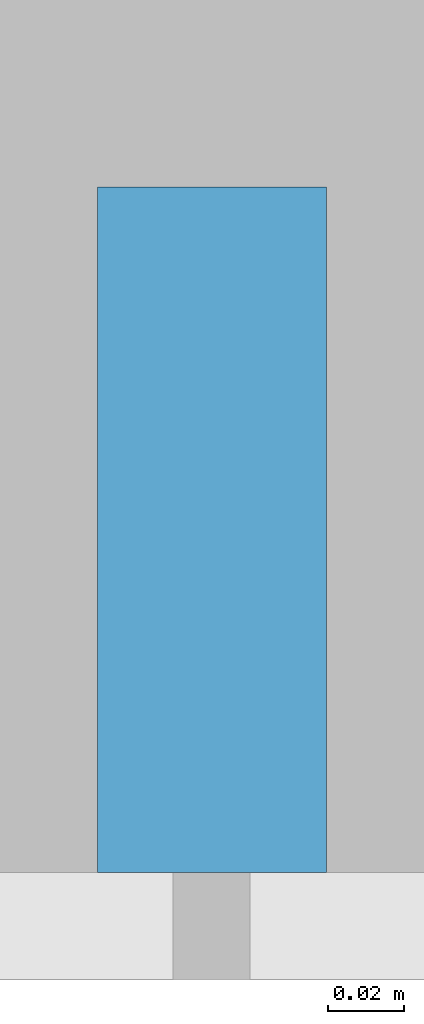
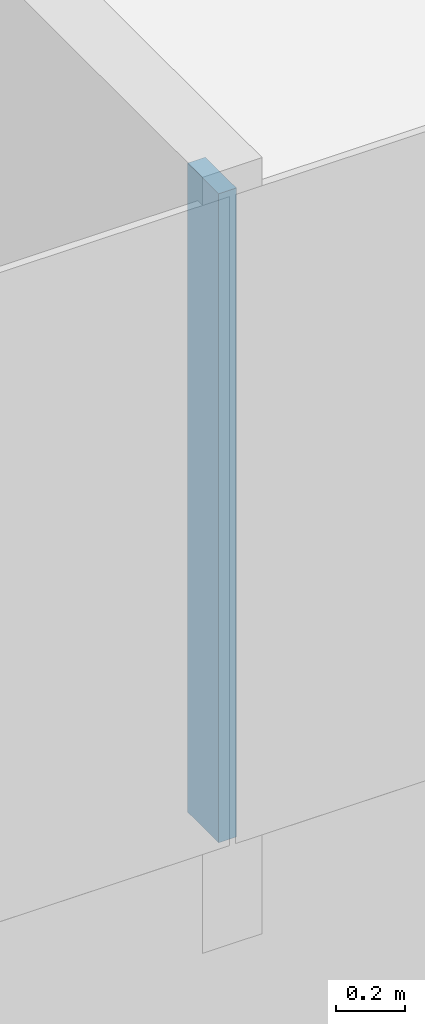
# One storey, part 3 of 25: 1 member, 1 element without a shape of its own.
"""IFC4 building model written with IfcOpenShell, lengths in metres."""

from ifc_helpers import new_model, si_unit, direction, frame, origin, origin_2d, place, context, subcontext, project, spatial, rectangle, extrude, material, layer, layer_set, material_profile, profile_set, type_object, element, aggregate, save


model = new_model("IFC4")

# Units and contexts
model_context = context("Model", 3, precision=1e-05, world=origin(), true_north=direction((0.0, 1.0)))
body_context = subcontext(model_context, "Body", "Model", "MODEL_VIEW")
ifc_project = project(units=[si_unit("LENGTHUNIT", "METRE"), si_unit("AREAUNIT", "SQUARE_METRE"), si_unit("VOLUMEUNIT", "CUBIC_METRE"), si_unit("PLANEANGLEUNIT", "RADIAN"), si_unit("MASSUNIT", "GRAM", prefix="KILO")], contexts=[model_context])

# Site, building, storey
site_placement = place(None, origin())
site = spatial("IfcSite", under=ifc_project, at=site_placement, CompositionType="ELEMENT")
building_placement = place(site_placement, origin())
building = spatial("IfcBuilding", under=site, at=building_placement, Name="Hakoniwa Tower and Hamabe Station Hall", CompositionType="ELEMENT")
storey_placement = place(building_placement, frame((0.0, 0.0, 147.0)))
storey = spatial("IfcBuildingStorey", under=building, at=storey_placement, Name="L41", CompositionType="ELEMENT", Elevation=147.0)

# Curtain wall, member
ifc_material_1 = material(Name="Dark low-e laminated glass", Category="glass")
ifc_layer = layer(ifc_material_1, 0.199951171875)
ifc_layer_set = layer_set([ifc_layer], Name="CW-1 UNITISED GUEST")
curtain_wall_type = type_object("IfcCurtainWallType", Name="CW-1 UNITISED GUEST", PredefinedType="NOTDEFINED", material=ifc_layer_set)
curtain_wall_placement = place(storey_placement, origin())
curtain_wall = element("IfcCurtainWall", 1, at=curtain_wall_placement, inside=storey, type_object=curtain_wall_type, Name="CW-1 curtain wall", PredefinedType="NOTDEFINED")
ifc_material_2 = material(Name="Aluminium 6063-T5 black anodised", Category="aluminium")
ifc_material_profile = material_profile(ifc_material_2, rectangle(XDim=0.06005859375, YDim=0.179931640625, at=origin_2d()), Name="CW-1 MULLION 60X180")
ifc_profile_set = profile_set([ifc_material_profile], Name="Aluminium 6063-T5 black anodised")
member_type = type_object("IfcMemberType", Name="CW-1 MULLION 60X180", PredefinedType="MULLION", material=ifc_profile_set)
member_placement = place(storey_placement, frame((-8.39990234375, -19.181884765625, 0.35009765625), z_axis=(0.0, 0.0, 1.0), x_axis=(1.0, 0.0, 0.0)))
member = element("IfcMember", 2, at=member_placement, type_object=member_type, Name="CW-1 mullion", PredefinedType="MULLION", context=body_context, shape_type="SweptSolid", body=[
    extrude(rectangle(XDim=0.06005859375, YDim=0.179931640625, at=origin_2d()), origin(), (0.0, 0.0, 1.0), 2.2998046875),
])
aggregate(curtain_wall, [member])

save(model, "model.ifc")
